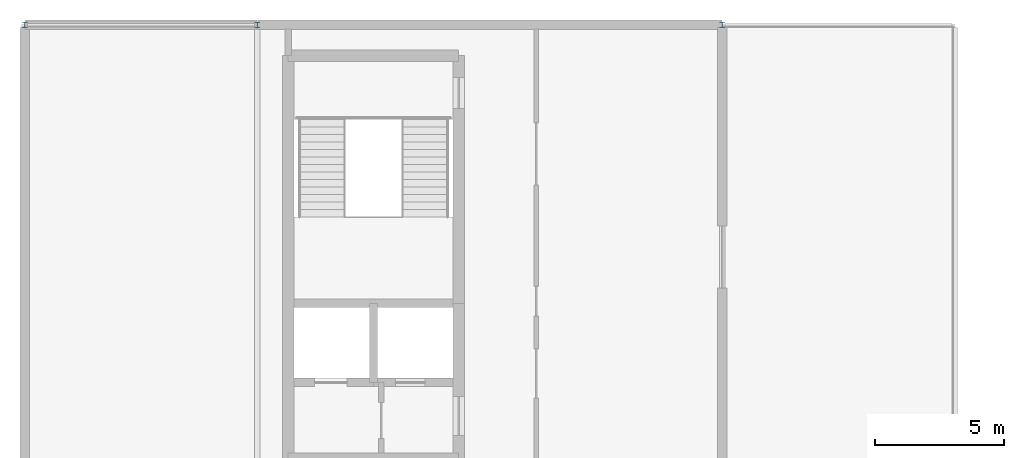
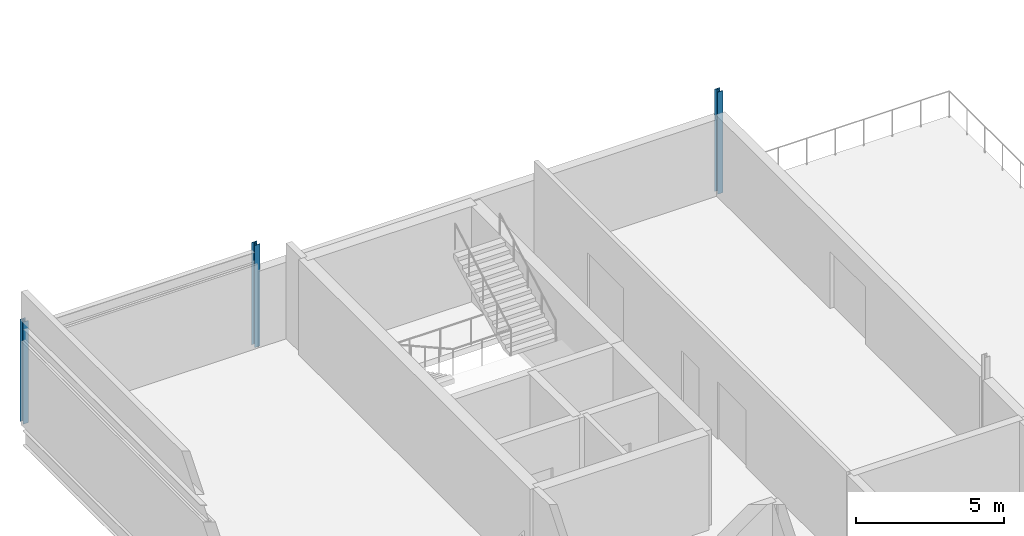
# One storey, part 5 of 23: 3 columns.
"""IFC4 building model written with IfcOpenShell, lengths in metres."""

from ifc_helpers import new_model, si_unit, direction, frame, origin, origin_2d, place, context, subcontext, project, spatial, i_section, extrude, material, material_profile, profile_set, type_object, element, save


model = new_model("IFC4")

# Units and contexts
model_context = context("Model", 3, precision=1e-05, world=origin(), true_north=direction((0.0, 1.0)))
body_context = subcontext(model_context, "Body", "Model", "MODEL_VIEW")
ifc_project = project(units=[si_unit("LENGTHUNIT", "METRE"), si_unit("AREAUNIT", "SQUARE_METRE"), si_unit("VOLUMEUNIT", "CUBIC_METRE"), si_unit("PLANEANGLEUNIT", "RADIAN"), si_unit("MASSUNIT", "GRAM", prefix="KILO")], contexts=[model_context])

# Site, building, storey
site_placement = place(None, origin())
site = spatial("IfcSite", under=ifc_project, at=site_placement, CompositionType="ELEMENT")
building_placement = place(site_placement, origin())
building = spatial("IfcBuilding", under=site, at=building_placement, Name="Kisiwana Market Hall", CompositionType="ELEMENT")
storey_placement = place(building_placement, frame((0.0, 0.0, 65.699951171875)))
storey = spatial("IfcBuildingStorey", under=building, at=storey_placement, Name="L15", CompositionType="ELEMENT", Elevation=65.699951171875)

# Columns
ifc_material = material(Name="Steel S355", Category="steel")
ifc_material_profile = material_profile(ifc_material, i_section(OverallWidth=0.205810546875, OverallDepth=0.209716796875, WebThickness=0.009521484375, FlangeThickness=0.01416015625, FilletRadius=0.01025390625, at=origin_2d()), Name="UC 203x203x60")
ifc_profile_set = profile_set([ifc_material_profile], Name="Steel S355")
column_type = type_object("IfcColumnType", Name="COL-STL-UC060", PredefinedType="COLUMN", material=ifc_profile_set)
for number, where, z_axis, x_axis, name in (
    (1, (0.0, 102.0, 0.0), (0.0, 0.0, 1.0), (1.0, 0.0, 0.0), "Column N/1 (L15) C-1484"),
    (2, (9.0, 102.0, 0.0), (0.0, 0.0, 1.0), (1.0, 0.0, 0.0), "Column N/2 (L15) C-1488"),
    (3, (27.0, 102.0, 0.0), (0.0, 0.0, 1.0), (1.0, 0.0, 0.0), "Column N/4 (L15) C-1493"),
):
    element("IfcColumn", number, at=place(storey_placement, frame(where, z_axis=z_axis, x_axis=x_axis)), inside=storey, type_object=column_type, Name=name, PredefinedType="COLUMN", context=body_context, shape_type="SweptSolid", body=[
        extrude(i_section(OverallWidth=0.205810546875, OverallDepth=0.209716796875, WebThickness=0.009521484375, FlangeThickness=0.01416015625, FilletRadius=0.01025390625, at=origin_2d()), origin(), (0.0, 0.0, 1.0), 4.199951171875),
    ])

save(model, "model.ifc")
